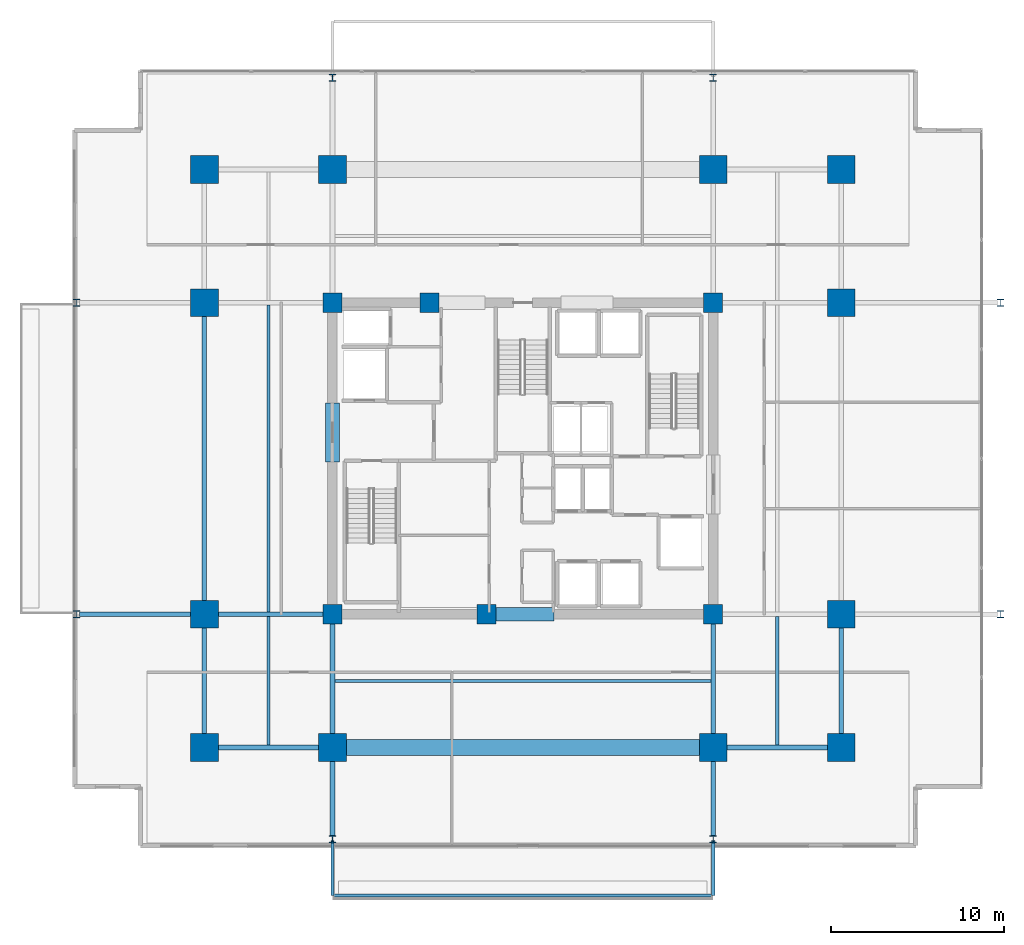
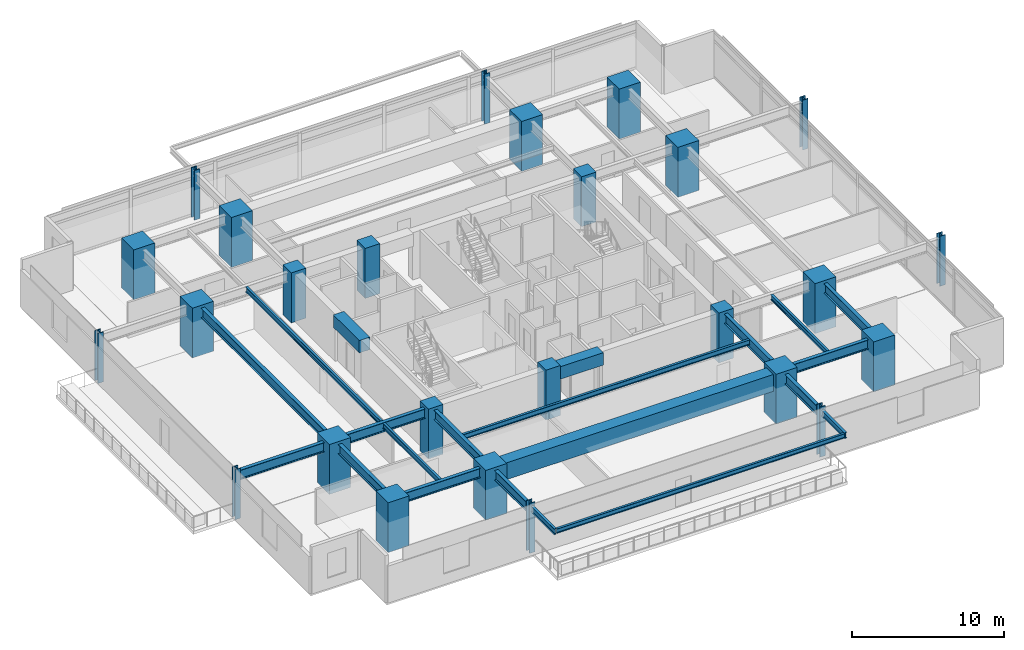
# One storey, part 1 of 24: 26 columns, 21 beams.
"""IFC4 building model written with IfcOpenShell, lengths in metres."""

import ifcopenshell
import ifcopenshell.guid

model = None  # the IFC model being written
_history = None  # IfcOwnerHistory: only IFC2X3 demands one
_inside = {}  # id of a spatial element -> (the spatial element, [elements in it])
_under = {}  # id of a project, library or spatial element -> (it, [spatial elements below it])
_declared = {}  # id of a project -> (the project, [libraries it declares])
_typed = {}  # id of a type object -> (the type object, [elements of that type])
_made_of = {}  # id of a material, layer set ... -> (it, [elements and type objects made of it])


def new_model(schema):
    """Start an empty IFC model of exactly this schema.

    Asked for "IFC4X3", IfcOpenShell would pick the latest addendum, in which some entities
    have other attributes; the version numbers below select the first issue.
    IFC2X3 requires an IfcOwnerHistory on every rooted entity: one is made here for all.
    """
    global model, _history
    if schema == "IFC4X3":
        model = ifcopenshell.file(schema_version=(4, 3, 0, 0))
    else:
        model = ifcopenshell.file(schema=schema)
    _inside.clear()
    _under.clear()
    _declared.clear()
    _typed.clear()
    _made_of.clear()
    _history = None
    if model.schema == "IFC2X3":
        org = make("IfcOrganization", Name="unknown")
        user = make(
            "IfcPersonAndOrganization",
            ThePerson=make("IfcPerson", FamilyName="unknown"),
            TheOrganization=org,
        )
        app = make(
            "IfcApplication",
            ApplicationDeveloper=org,
            Version="unknown",
            ApplicationFullName="unknown",
            ApplicationIdentifier="unknown",
        )
        _history = make(
            "IfcOwnerHistory",
            OwningUser=user,
            OwningApplication=app,
            ChangeAction="ADDED",
            CreationDate=0,
        )
    return model


def make(cls, **values):
    """One entity of the class cls with the attributes given. An attribute that is None is left unset."""
    return model.create_entity(
        cls, **{name: value for name, value in values.items() if value is not None}
    )


def rooted(cls, **values):
    """An entity with a GlobalId (a new one), such as an element, a storey or a relation."""
    return make(cls, GlobalId=ifcopenshell.guid.new(), OwnerHistory=_history, **values)


def si_unit(unit_type, name, prefix=None):
    """IfcSIUnit, for example si_unit("LENGTHUNIT", "METRE", prefix="MILLI")."""
    return make("IfcSIUnit", UnitType=unit_type, Prefix=prefix, Name=name)


def assignment(units):
    """IfcUnitAssignment: the units of a project."""
    return None if units is None else make("IfcUnitAssignment", Units=units)


def point(xyz):
    """IfcCartesianPoint."""
    return None if xyz is None else make("IfcCartesianPoint", Coordinates=xyz)


def direction(xyz):
    """IfcDirection."""
    return None if xyz is None else make("IfcDirection", DirectionRatios=xyz)


def frame(location, z_axis=None, x_axis=None):
    """IfcAxis2Placement3D, a coordinate frame: its origin and axes. An axis left out is left unset."""
    return make(
        "IfcAxis2Placement3D",
        Location=point(location),
        Axis=direction(z_axis),
        RefDirection=direction(x_axis),
    )


def frame_2d(location, x_axis=None):
    """IfcAxis2Placement2D, a coordinate frame in the plane: its origin and x axis."""
    return make(
        "IfcAxis2Placement2D", Location=point(location), RefDirection=direction(x_axis)
    )


def origin():
    """The frame at (0, 0, 0) with its axes left unset."""
    return frame((0.0, 0.0, 0.0))


def origin_2d():
    """The frame at (0, 0) in the plane with its x axis left unset."""
    return frame_2d((0.0, 0.0))


def place(relative_to, where):
    """IfcLocalPlacement: puts the frame where relative to a parent placement (None: the world)."""
    return make(
        "IfcLocalPlacement", PlacementRelTo=relative_to, RelativePlacement=where
    )


def context(
    kind, dimensions, precision=None, world=None, true_north=None, identifier=None
):
    """IfcGeometricRepresentationContext, for example the 3D "Model" context."""
    return make(
        "IfcGeometricRepresentationContext",
        ContextIdentifier=identifier,
        ContextType=kind,
        CoordinateSpaceDimension=dimensions,
        Precision=precision,
        WorldCoordinateSystem=world,
        TrueNorth=true_north,
    )


def subcontext(parent, identifier, kind, view, scale=None):
    """IfcGeometricRepresentationSubContext, for example "Body" below "Model"."""
    return make(
        "IfcGeometricRepresentationSubContext",
        ContextIdentifier=identifier,
        ContextType=kind,
        ParentContext=parent,
        TargetScale=scale,
        TargetView=view,
    )


def project(units=None, contexts=None):
    """IfcProject with its units and contexts."""
    return rooted(
        "IfcProject",
        Name="project",
        RepresentationContexts=contexts,
        UnitsInContext=assignment(units),
    )


def spatial(cls, under=None, at=None, **own):
    """A site, building, storey or space (cls), placed at a placement, below another one or the project."""
    s = rooted(cls, ObjectPlacement=at, **own)
    if under is not None:
        _under.setdefault(under.id(), (under, []))[1].append(s)
    return s


def profile(cls, at=None, kind="AREA", **sizes):
    """A parametric profile (cls). Its sizes go by their IFC names, for example OverallWidth=200.0."""
    return make(cls, ProfileType=kind, Position=at, **sizes)


def rectangle(**sizes):
    """IfcRectangleProfileDef."""
    return profile("IfcRectangleProfileDef", **sizes)


def i_section(**sizes):
    """IfcIShapeProfileDef."""
    return profile("IfcIShapeProfileDef", **sizes)


def extrude(swept, where, along, depth):
    """IfcExtrudedAreaSolid: the profile swept, set in the frame where, extruded along a direction by depth."""
    return make(
        "IfcExtrudedAreaSolid",
        SweptArea=swept,
        Position=where,
        ExtrudedDirection=direction(along),
        Depth=depth,
    )


def shape(context_of_items, identifier, shape_type, items):
    """IfcShapeRepresentation: the items that make up one representation, for example the "Body"."""
    return make(
        "IfcShapeRepresentation",
        ContextOfItems=context_of_items,
        RepresentationIdentifier=identifier,
        RepresentationType=shape_type,
        Items=items,
    )


def material(Name=None, Category=None):
    """IfcMaterial."""
    return make("IfcMaterial", Name=Name, Category=Category)


def material_profile(
    of_material, cross_section, Name=None, Category=None, Priority=None
):
    """IfcMaterialProfile: a cross section and its material."""
    return make(
        "IfcMaterialProfile",
        Name=Name,
        Material=of_material,
        Profile=cross_section,
        Priority=Priority,
        Category=Category,
    )


def profile_set(profiles, Name=None, composite=None):
    """IfcMaterialProfileSet."""
    return make(
        "IfcMaterialProfileSet",
        Name=Name,
        MaterialProfiles=profiles,
        CompositeProfile=composite,
    )


def made_of(thing, what):
    """Note that an element or type object is made of a material, layer set ...; save() writes the relation."""
    if what is not None:
        _made_of.setdefault(what.id(), (what, []))[1].append(thing)
    return thing


def type_object(cls, material=None, **own):
    """A type object (cls), such as IfcWallType, which elements share."""
    return made_of(rooted(cls, **own), material)


def element(
    cls,
    number,
    at=None,
    inside=None,
    cuts=None,
    type_object=None,
    material=None,
    context=None,
    identifier="Body",
    shape_type=None,
    held_by="IfcProductDefinitionShape",
    body=None,
    shapes=None,
    **own,
):
    """One element of the class cls, such as IfcWall. Its Tag is "e" and its number.

    at: its placement. inside: the storey or other place that contains it. cuts: it is an
    opening in that element (IfcRelVoidsElement). A single representation is given by context,
    identifier, shape_type and body (its items); several are given by shapes. held_by: the class
    of the entity that holds the representations. save() writes the other relations.
    """
    e = rooted(cls, Tag="e%d" % number, ObjectPlacement=at, **own)
    if body is not None:
        shapes = [shape(context, identifier, shape_type, body)]
    if shapes is not None:
        e.Representation = make(held_by, Representations=shapes)
    if inside is not None:
        _inside.setdefault(inside.id(), (inside, []))[1].append(e)
    if cuts is not None:
        rooted(
            "IfcRelVoidsElement", RelatingBuildingElement=cuts, RelatedOpeningElement=e
        )
    if type_object is not None:
        _typed.setdefault(type_object.id(), (type_object, []))[1].append(e)
    return made_of(e, material)


def aggregate(whole, parts):
    """IfcRelAggregates: a whole, such as a stair, and the parts it consists of."""
    return rooted("IfcRelAggregates", RelatingObject=whole, RelatedObjects=parts)


def save(model, path):
    """Write the relations noted so far, then the file.

    IfcRelAggregates (storeys below a building ...), IfcRelContainedInSpatialStructure (elements
    in a storey), IfcRelDefinesByType, IfcRelAssociatesMaterial and IfcRelDeclares: one each for
    every whole, place, type object, material and project.
    """
    for whole, parts in _under.values():
        aggregate(whole, parts)
    for where, things in _inside.values():
        rooted(
            "IfcRelContainedInSpatialStructure",
            RelatedElements=things,
            RelatingStructure=where,
        )
    for kind, things in _typed.values():
        rooted("IfcRelDefinesByType", RelatedObjects=things, RelatingType=kind)
    for what, things in _made_of.values():
        rooted("IfcRelAssociatesMaterial", RelatedObjects=things, RelatingMaterial=what)
    for by, libraries in _declared.values():
        rooted("IfcRelDeclares", RelatingContext=by, RelatedDefinitions=libraries)
    model.write(path)


model = new_model("IFC4")

# Units and contexts
model_context = context("Model", 3, precision=1e-05, world=origin(), true_north=direction((0.0, 1.0)))
body_context = subcontext(model_context, "Body", "Model", "MODEL_VIEW")
ifc_project = project(units=[si_unit("LENGTHUNIT", "METRE"), si_unit("AREAUNIT", "SQUARE_METRE"), si_unit("VOLUMEUNIT", "CUBIC_METRE"), si_unit("PLANEANGLEUNIT", "RADIAN"), si_unit("MASSUNIT", "GRAM", prefix="KILO")], contexts=[model_context])

# Site, building, storey
site_placement = place(None, origin())
site = spatial("IfcSite", under=ifc_project, at=site_placement, CompositionType="ELEMENT")
building_placement = place(site_placement, origin())
building = spatial("IfcBuilding", under=site, at=building_placement, Name="Kovane Verandah Tower", CompositionType="ELEMENT")
storey_placement = place(building_placement, frame((0.0, 0.0, 144.39990234375)))
storey = spatial("IfcBuildingStorey", under=building, at=storey_placement, Name="L33", CompositionType="ELEMENT", Elevation=144.39990234375)

# Columns
ifc_material_1 = material(Name="Concrete C80/95", Category="concrete")
ifc_material_profile_1 = material_profile(ifc_material_1, rectangle(XDim=1.60009765625, YDim=1.60009765625, at=origin_2d()), Name="RC1600x1600")
ifc_profile_set_1 = profile_set([ifc_material_profile_1], Name="Concrete C80/95")
column_type_1 = type_object("IfcColumnType", Name="COL-RC1600", PredefinedType="COLUMN", material=ifc_profile_set_1)
for number, where, z_axis, x_axis, name in (
    (1, (29.0, 10.800048828125, 0.0), (0.0, 0.0, 1.0), (1.0, 0.0, 0.0), "L33 Tower Mega-Column MC-S1"),
    (2, (51.0, 10.800048828125, 0.0), (0.0, 0.0, 1.0), (1.0, 0.0, 0.0), "L33 Tower Mega-Column MC-S2"),
    (3, (29.0, 44.199951171875, 0.0), (0.0, 0.0, 1.0), (1.0, 0.0, 0.0), "L33 Tower Mega-Column MC-N1"),
    (4, (51.0, 44.199951171875, 0.0), (0.0, 0.0, 1.0), (1.0, 0.0, 0.0), "L33 Tower Mega-Column MC-N2"),
    (5, (21.60009765625, 18.5, 0.0), (0.0, 0.0, 1.0), (1.0, 0.0, 0.0), "L33 Tower Mega-Column MC-W1"),
    (6, (21.60009765625, 36.5, 0.0), (0.0, 0.0, 1.0), (1.0, 0.0, 0.0), "L33 Tower Mega-Column MC-W2"),
    (7, (58.39990234375, 18.5, 0.0), (0.0, 0.0, 1.0), (1.0, 0.0, 0.0), "L33 Tower Mega-Column MC-E1"),
    (8, (58.39990234375, 36.5, 0.0), (0.0, 0.0, 1.0), (1.0, 0.0, 0.0), "L33 Tower Mega-Column MC-E2"),
    (9, (21.60009765625, 10.800048828125, 0.0), (0.0, 0.0, 1.0), (1.0, 0.0, 0.0), "L33 Tower Mega-Column MC-SW"),
    (10, (58.39990234375, 10.800048828125, 0.0), (0.0, 0.0, 1.0), (1.0, 0.0, 0.0), "L33 Tower Mega-Column MC-SE"),
    (11, (21.60009765625, 44.199951171875, 0.0), (0.0, 0.0, 1.0), (1.0, 0.0, 0.0), "L33 Tower Mega-Column MC-NW"),
    (12, (58.39990234375, 44.199951171875, 0.0), (0.0, 0.0, 1.0), (1.0, 0.0, 0.0), "L33 Tower Mega-Column MC-NE"),
):
    element("IfcColumn", number, at=place(storey_placement, frame(where, z_axis=z_axis, x_axis=x_axis)), inside=storey, type_object=column_type_1, Name=name, PredefinedType="COLUMN", context=body_context, shape_type="SweptSolid", body=[
        extrude(rectangle(XDim=1.60009765625, YDim=1.60009765625, at=origin_2d()), origin(), (0.0, 0.0, 1.0), 4.0),
    ])
ifc_material_2 = material(Name="Steel S460", Category="steel")
ifc_material_profile_2 = material_profile(ifc_material_2, i_section(OverallWidth=0.412109375, OverallDepth=0.4365234375, WebThickness=0.035888671875, FlangeThickness=0.05810546875, FilletRadius=0.01513671875, at=origin_2d()), Name="UC356x406x467")
ifc_profile_set_2 = profile_set([ifc_material_profile_2], Name="Steel S460")
column_type_2 = type_object("IfcColumnType", Name="COL-UC467", PredefinedType="COLUMN", material=ifc_profile_set_2)
for number, where, z_axis, x_axis, name in (
    (13, (14.199951171875, 18.5, 0.0), (0.0, 0.0, 1.0), (1.0, 0.0, 0.0), "L33 Verandah Perimeter Column VC-W1"),
    (14, (14.199951171875, 36.5, 0.0), (0.0, 0.0, 1.0), (1.0, 0.0, 0.0), "L33 Verandah Perimeter Column VC-W2"),
    (15, (67.60009765625, 18.5, 0.0), (0.0, 0.0, 1.0), (1.0, 0.0, 0.0), "L33 Verandah Perimeter Column VC-E1"),
    (16, (67.60009765625, 36.5, 0.0), (0.0, 0.0, 1.0), (1.0, 0.0, 0.0), "L33 Verandah Perimeter Column VC-E2"),
    (17, (29.0, 5.5, 0.0), (0.0, 0.0, 1.0), (1.0, 0.0, 0.0), "L33 Verandah Perimeter Column VC-S1"),
    (18, (51.0, 5.5, 0.0), (0.0, 0.0, 1.0), (1.0, 0.0, 0.0), "L33 Verandah Perimeter Column VC-S2"),
    (19, (29.0, 49.5, 0.0), (0.0, 0.0, 1.0), (1.0, 0.0, 0.0), "L33 Verandah Perimeter Column VC-N1"),
    (20, (51.0, 49.5, 0.0), (0.0, 0.0, 1.0), (1.0, 0.0, 0.0), "L33 Verandah Perimeter Column VC-N2"),
):
    element("IfcColumn", number, at=place(storey_placement, frame(where, z_axis=z_axis, x_axis=x_axis)), inside=storey, type_object=column_type_2, Name=name, PredefinedType="COLUMN", context=body_context, shape_type="SweptSolid", body=[
        extrude(i_section(OverallWidth=0.412109375, OverallDepth=0.4365234375, WebThickness=0.035888671875, FlangeThickness=0.05810546875, FilletRadius=0.01513671875, at=origin_2d()), origin(), (0.0, 0.0, 1.0), 4.0),
    ])
ifc_material_profile_3 = material_profile(ifc_material_1, rectangle(XDim=1.10009765625, YDim=1.10009765625, at=origin_2d()), Name="RC1100x1100")
ifc_profile_set_3 = profile_set([ifc_material_profile_3], Name="Concrete C80/95")
column_type_3 = type_object("IfcColumnType", Name="PIL-RC1100", PredefinedType="PILASTER", material=ifc_profile_set_3)
for number, where, z_axis, x_axis, name in (
    (21, (29.0, 18.5, 0.0), (0.0, 0.0, 1.0), (1.0, 0.0, 0.0), "L33 Core Pilaster CP-SW"),
    (22, (51.0, 18.5, 0.0), (0.0, 0.0, 1.0), (1.0, 0.0, 0.0), "L33 Core Pilaster CP-SE"),
    (23, (29.0, 36.5, 0.0), (0.0, 0.0, 1.0), (1.0, 0.0, 0.0), "L33 Core Pilaster CP-NW"),
    (24, (51.0, 36.5, 0.0), (0.0, 0.0, 1.0), (1.0, 0.0, 0.0), "L33 Core Pilaster CP-NE"),
    (25, (37.89990234375, 18.5, 0.0), (0.0, 0.0, 1.0), (1.0, 0.0, 0.0), "L33 Core Pilaster CP-S"),
    (26, (34.60009765625, 36.5, 0.0), (0.0, 0.0, 1.0), (1.0, 0.0, 0.0), "L33 Core Pilaster CP-N"),
):
    element("IfcColumn", number, at=place(storey_placement, frame(where, z_axis=z_axis, x_axis=x_axis)), inside=storey, type_object=column_type_3, Name=name, PredefinedType="PILASTER", context=body_context, shape_type="SweptSolid", body=[
        extrude(rectangle(XDim=1.10009765625, YDim=1.10009765625, at=origin_2d()), origin(), (0.0, 0.0, 1.0), 4.0),
    ])

# Beams
ifc_material_3 = material(Name="Concrete C60/75", Category="concrete")
ifc_material_profile_4 = material_profile(ifc_material_3, rectangle(XDim=0.800048828125, YDim=1.0, at=origin_2d()), Name="RCB800x1000")
ifc_profile_set_4 = profile_set([ifc_material_profile_4], Name="Concrete C60/75")
beam_type_1 = type_object("IfcBeamType", Name="BM-LINTEL-800x1000", PredefinedType="LINTEL", material=ifc_profile_set_4)
beam_1_placement = place(storey_placement, frame((38.199951171875, 18.5, 3.275146484375), z_axis=(1.0, 0.0, 0.0), x_axis=(0.0, 1.0, 0.0)))
element("IfcBeam", 27, at=beam_1_placement, inside=storey, type_object=beam_type_1, Name="L33 Core Coupling Lintel CL-S", PredefinedType="LINTEL", context=body_context, shape_type="SweptSolid", body=[
    extrude(rectangle(XDim=0.800048828125, YDim=1.0, at=origin_2d()), origin(), (0.0, 0.0, 1.0), 3.60009765625),
])
beam_2_placement = place(storey_placement, frame((29.0, 27.300048828125, 3.275146484375), z_axis=(0.0, 1.0, 0.0), x_axis=(-1.0, 0.0, 0.0)))
element("IfcBeam", 28, at=beam_2_placement, inside=storey, type_object=beam_type_1, Name="L33 Core Coupling Lintel CL-W", PredefinedType="LINTEL", context=body_context, shape_type="SweptSolid", body=[
    extrude(rectangle(XDim=0.800048828125, YDim=1.0, at=origin_2d()), origin(), (0.0, 0.0, 1.0), 3.39990234375),
])
ifc_material_profile_5 = material_profile(ifc_material_1, rectangle(XDim=0.89990234375, YDim=1.35009765625, at=origin_2d()), Name="RCB900x1350")
ifc_profile_set_5 = profile_set([ifc_material_profile_5], Name="Concrete C80/95")
beam_type_2 = type_object("IfcBeamType", Name="BM-TR-900x1350", PredefinedType="BEAM", material=ifc_profile_set_5)
beam_3_placement = place(storey_placement, frame((29.179931640625, 10.800048828125, 3.10009765625), z_axis=(1.0, 0.0, 0.0), x_axis=(0.0, 1.0, 0.0)))
element("IfcBeam", 29, at=beam_3_placement, inside=storey, type_object=beam_type_2, Name="L33 Primary Tower Girder G-RS2", PredefinedType="BEAM", context=body_context, shape_type="SweptSolid", body=[
    extrude(rectangle(XDim=0.89990234375, YDim=1.35009765625, at=origin_2d()), origin(), (0.0, 0.0, 1.0), 21.64013671875),
])
ifc_material_4 = material(Name="Steel S355", Category="steel")
ifc_material_profile_6 = material_profile(ifc_material_4, i_section(OverallWidth=0.26806640625, OverallDepth=0.769775390625, WebThickness=0.015625, FlangeThickness=0.025390625, FilletRadius=0.0166015625, at=origin_2d()), Name="UB762x267x197")
ifc_profile_set_6 = profile_set([ifc_material_profile_6], Name="Steel S355")
beam_type_3 = type_object("IfcBeamType", Name="BM-UB762x197", PredefinedType="BEAM", material=ifc_profile_set_6)
for number, where, z_axis, x_axis, name in (
    (30, (21.780029296875, 10.800048828125, 3.39013671875), (1.0, 0.0, 0.0), (0.0, 1.0, 0.0), "L33 Primary Tower Girder G-RS1"),
    (31, (51.179931640625, 10.800048828125, 3.39013671875), (1.0, 0.0, 0.0), (0.0, 1.0, 0.0), "L33 Primary Tower Girder G-RS3"),
):
    element("IfcBeam", number, at=place(storey_placement, frame(where, z_axis=z_axis, x_axis=x_axis)), inside=storey, type_object=beam_type_3, Name=name, PredefinedType="BEAM", context=body_context, shape_type="SweptSolid", body=[
        extrude(i_section(OverallWidth=0.26806640625, OverallDepth=0.769775390625, WebThickness=0.015625, FlangeThickness=0.025390625, FilletRadius=0.0166015625, at=origin_2d()), origin(), (0.0, 0.0, 1.0), 7.0400390625),
    ])
beam_4_placement = place(storey_placement, frame((21.60009765625, 10.97998046875, 3.39013671875), z_axis=(0.0, 1.0, 0.0), x_axis=(-1.0, 0.0, 0.0)))
element("IfcBeam", 32, at=beam_4_placement, inside=storey, type_object=beam_type_3, Name="L33 Primary Tower Girder G-RW1", PredefinedType="BEAM", context=body_context, shape_type="SweptSolid", body=[
    extrude(i_section(OverallWidth=0.26806640625, OverallDepth=0.769775390625, WebThickness=0.015625, FlangeThickness=0.025390625, FilletRadius=0.0166015625, at=origin_2d()), origin(), (0.0, 0.0, 1.0), 7.340087890625),
])
beam_5_placement = place(storey_placement, frame((21.60009765625, 18.679931640625, 3.39013671875), z_axis=(0.0, 1.0, 0.0), x_axis=(-1.0, 0.0, 0.0)))
element("IfcBeam", 33, at=beam_5_placement, inside=storey, type_object=beam_type_3, Name="L33 Primary Tower Girder G-RW2", PredefinedType="BEAM", context=body_context, shape_type="SweptSolid", body=[
    extrude(i_section(OverallWidth=0.26806640625, OverallDepth=0.769775390625, WebThickness=0.015625, FlangeThickness=0.025390625, FilletRadius=0.0166015625, at=origin_2d()), origin(), (0.0, 0.0, 1.0), 17.64013671875),
])
beam_6_placement = place(storey_placement, frame((58.39990234375, 10.97998046875, 3.39013671875), z_axis=(0.0, 1.0, 0.0), x_axis=(-1.0, 0.0, 0.0)))
element("IfcBeam", 34, at=beam_6_placement, inside=storey, type_object=beam_type_3, Name="L33 Primary Tower Girder G-RE1", PredefinedType="BEAM", context=body_context, shape_type="SweptSolid", body=[
    extrude(i_section(OverallWidth=0.26806640625, OverallDepth=0.769775390625, WebThickness=0.015625, FlangeThickness=0.025390625, FilletRadius=0.0166015625, at=origin_2d()), origin(), (0.0, 0.0, 1.0), 7.340087890625),
])
beam_7_placement = place(storey_placement, frame((28.820068359375, 18.5, 3.39013671875), z_axis=(-1.0, 0.0, 0.0), x_axis=(0.0, -1.0, 0.0)))
element("IfcBeam", 35, at=beam_7_placement, inside=storey, type_object=beam_type_3, Name="L33 Primary Tower Girder G-W1", PredefinedType="BEAM", context=body_context, shape_type="SweptSolid", body=[
    extrude(i_section(OverallWidth=0.26806640625, OverallDepth=0.769775390625, WebThickness=0.015625, FlangeThickness=0.025390625, FilletRadius=0.0166015625, at=origin_2d()), origin(), (0.0, 0.0, 1.0), 7.0400390625),
])
for number, where, z_axis, x_axis, name in (
    (36, (29.0, 18.320068359375, 3.39013671875), (0.0, -1.0, 0.0), (1.0, 0.0, 0.0), "L33 Primary Tower Girder G-S1"),
    (37, (51.0, 18.320068359375, 3.39013671875), (0.0, -1.0, 0.0), (1.0, 0.0, 0.0), "L33 Primary Tower Girder G-S2"),
):
    element("IfcBeam", number, at=place(storey_placement, frame(where, z_axis=z_axis, x_axis=x_axis)), inside=storey, type_object=beam_type_3, Name=name, PredefinedType="BEAM", context=body_context, shape_type="SweptSolid", body=[
        extrude(i_section(OverallWidth=0.26806640625, OverallDepth=0.769775390625, WebThickness=0.015625, FlangeThickness=0.025390625, FilletRadius=0.0166015625, at=origin_2d()), origin(), (0.0, 0.0, 1.0), 7.340087890625),
    ])
beam_8_placement = place(storey_placement, frame((21.419921875, 18.5, 3.375244140625), z_axis=(-1.0, 0.0, 0.0), x_axis=(0.0, -1.0, 0.0)))
element("IfcBeam", 38, at=beam_8_placement, inside=storey, type_object=beam_type_3, Name="L33 Primary Tower Girder G-VW1", PredefinedType="BEAM", context=body_context, shape_type="SweptSolid", body=[
    extrude(i_section(OverallWidth=0.26806640625, OverallDepth=0.769775390625, WebThickness=0.015625, FlangeThickness=0.025390625, FilletRadius=0.0166015625, at=origin_2d()), origin(), (0.0, 0.0, 1.0), 7.0400390625),
])
for number, where, z_axis, x_axis, name in (
    (39, (29.0, 10.6201171875, 3.375244140625), (0.0, -1.0, 0.0), (1.0, 0.0, 0.0), "L33 Primary Tower Girder G-VS1"),
    (40, (51.0, 10.6201171875, 3.375244140625), (0.0, -1.0, 0.0), (1.0, 0.0, 0.0), "L33 Primary Tower Girder G-VS2"),
):
    element("IfcBeam", number, at=place(storey_placement, frame(where, z_axis=z_axis, x_axis=x_axis)), inside=storey, type_object=beam_type_3, Name=name, PredefinedType="BEAM", context=body_context, shape_type="SweptSolid", body=[
        extrude(i_section(OverallWidth=0.26806640625, OverallDepth=0.769775390625, WebThickness=0.015625, FlangeThickness=0.025390625, FilletRadius=0.0166015625, at=origin_2d()), origin(), (0.0, 0.0, 1.0), 4.940185546875),
    ])
ifc_material_profile_7 = material_profile(ifc_material_4, i_section(OverallWidth=0.179443359375, OverallDepth=0.412841796875, WebThickness=0.009521484375, FlangeThickness=0.01611328125, FilletRadius=0.01025390625, at=origin_2d()), Name="UB406x178x74")
ifc_profile_set_7 = profile_set([ifc_material_profile_7], Name="Steel S355")
beam_type_4 = type_object("IfcBeamType", Name="JST-UB406x74", PredefinedType="JOIST", material=ifc_profile_set_7)
beam_9_placement = place(storey_placement, frame((29.132080078125, 14.64990234375, 3.568603515625), z_axis=(1.0, 0.0, 0.0), x_axis=(0.0, 1.0, 0.0)))
element("IfcBeam", 41, at=beam_9_placement, inside=storey, type_object=beam_type_4, Name="L33 Secondary Composite Joist J-S1", PredefinedType="JOIST", context=body_context, shape_type="SweptSolid", body=[
    extrude(i_section(OverallWidth=0.179443359375, OverallDepth=0.412841796875, WebThickness=0.009521484375, FlangeThickness=0.01611328125, FilletRadius=0.01025390625, at=origin_2d()), origin(), (0.0, 0.0, 1.0), 21.73583984375),
])
beam_10_placement = place(storey_placement, frame((25.300048828125, 18.632080078125, 3.568603515625), z_axis=(0.0, 1.0, 0.0), x_axis=(-1.0, 0.0, 0.0)))
element("IfcBeam", 42, at=beam_10_placement, inside=storey, type_object=beam_type_4, Name="L33 Secondary Composite Joist J-W1", PredefinedType="JOIST", context=body_context, shape_type="SweptSolid", body=[
    extrude(i_section(OverallWidth=0.179443359375, OverallDepth=0.412841796875, WebThickness=0.009521484375, FlangeThickness=0.01611328125, FilletRadius=0.01025390625, at=origin_2d()), origin(), (0.0, 0.0, 1.0), 17.73583984375),
])
for number, where, z_axis, x_axis, name in (
    (43, (25.300048828125, 10.931884765625, 3.568603515625), (0.0, 1.0, 0.0), (-1.0, 0.0, 0.0), "L33 Secondary Composite Joist J-SW1"),
    (44, (54.699951171875, 10.931884765625, 3.568603515625), (0.0, 1.0, 0.0), (-1.0, 0.0, 0.0), "L33 Secondary Composite Joist J-SE1"),
):
    element("IfcBeam", number, at=place(storey_placement, frame(where, z_axis=z_axis, x_axis=x_axis)), inside=storey, type_object=beam_type_4, Name=name, PredefinedType="JOIST", context=body_context, shape_type="SweptSolid", body=[
        extrude(i_section(OverallWidth=0.179443359375, OverallDepth=0.412841796875, WebThickness=0.009521484375, FlangeThickness=0.01611328125, FilletRadius=0.01025390625, at=origin_2d()), origin(), (0.0, 0.0, 1.0), 7.43603515625),
    ])
ifc_material_profile_8 = material_profile(ifc_material_4, i_section(OverallWidth=0.19287109375, OverallDepth=0.46728515625, WebThickness=0.011474609375, FlangeThickness=0.01953125, FilletRadius=0.01025390625, at=origin_2d()), Name="UB457x191x98")
ifc_profile_set_8 = profile_set([ifc_material_profile_8], Name="Steel S355")
beam_type_5 = type_object("IfcBeamType", Name="JST-UB457x98", PredefinedType="JOIST", material=ifc_profile_set_8)
for number, where, z_axis, x_axis, name in (
    (45, (29.0, 5.419921875, 3.526611328125), (0.0, -1.0, 0.0), (1.0, 0.0, 0.0), "L33 South Planter Girder 1"),
    (46, (51.0, 5.419921875, 3.526611328125), (0.0, -1.0, 0.0), (1.0, 0.0, 0.0), "L33 South Planter Girder 2"),
):
    element("IfcBeam", number, at=place(storey_placement, frame(where, z_axis=z_axis, x_axis=x_axis)), inside=storey, type_object=beam_type_5, Name=name, PredefinedType="JOIST", context=body_context, shape_type="SweptSolid", body=[
        extrude(i_section(OverallWidth=0.19287109375, OverallDepth=0.46728515625, WebThickness=0.011474609375, FlangeThickness=0.01953125, FilletRadius=0.01025390625, at=origin_2d()), origin(), (0.0, 0.0, 1.0), 3.173583984375),
    ])
ifc_material_profile_9 = material_profile(ifc_material_4, i_section(OverallWidth=0.173095703125, OverallDepth=0.36328125, WebThickness=0.009033203125, FlangeThickness=0.015625, FilletRadius=0.01025390625, at=origin_2d()), Name="UB356x171x67")
ifc_profile_set_9 = profile_set([ifc_material_profile_9], Name="Steel S355")
beam_type_6 = type_object("IfcBeamType", Name="SPD-UB356x67", PredefinedType="USERDEFINED", material=ifc_profile_set_9)
beam_11_placement = place(storey_placement, frame((29.094482421875, 2.246337890625, 3.578369140625), z_axis=(1.0, 0.0, 0.0), x_axis=(0.0, 1.0, 0.0)))
element("IfcBeam", 47, at=beam_11_placement, inside=storey, type_object=beam_type_6, Name="L33 South Planter Edge Spandrel", ObjectType="SPANDREL", PredefinedType="USERDEFINED", context=body_context, shape_type="SweptSolid", body=[
    extrude(i_section(OverallWidth=0.173095703125, OverallDepth=0.36328125, WebThickness=0.009033203125, FlangeThickness=0.015625, FilletRadius=0.01025390625, at=origin_2d()), origin(), (0.0, 0.0, 1.0), 21.81103515625),
])

save(model, "model.ifc")
